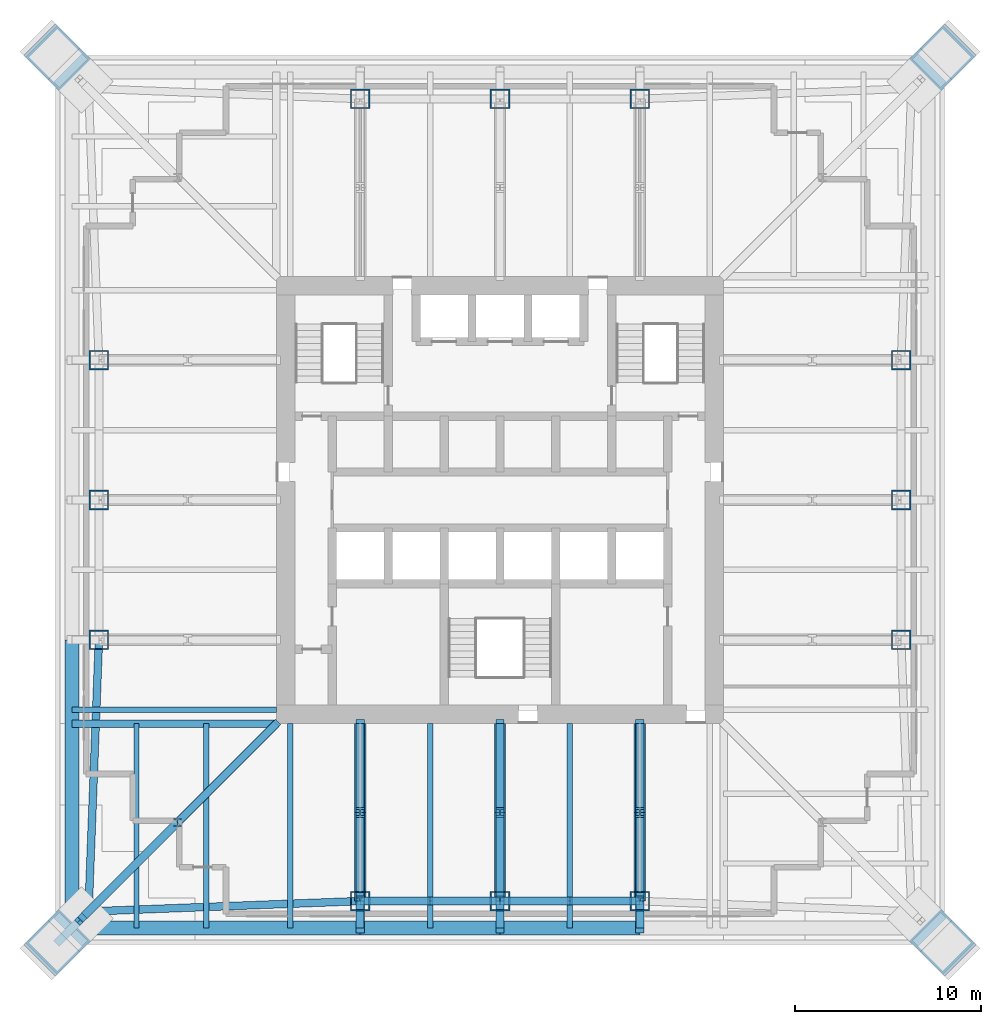
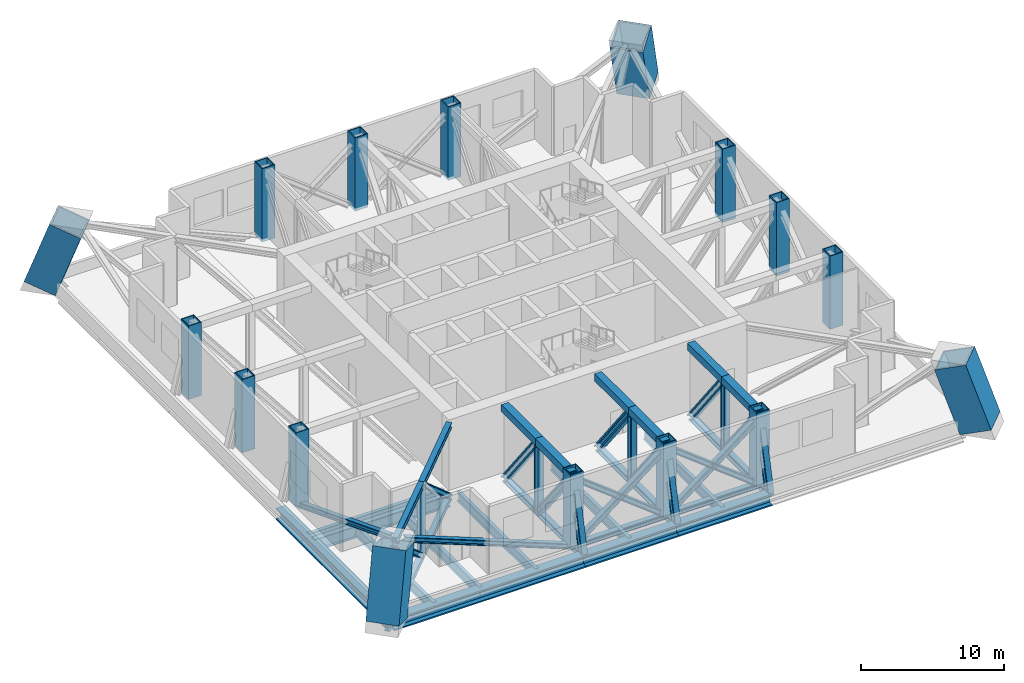
# One storey, part 1 of 8: 46 members, 16 columns, 11 beams.
"""IFC4 building model written with IfcOpenShell, lengths in metres."""

from ifc_helpers import new_model, si_unit, direction, frame, origin, origin_2d, place, context, subcontext, project, spatial, hollow_rectangle, i_section, extrude, clip, halfspace, material, material_profile, profile_set, type_object, element, save


model = new_model("IFC4")

# Units and contexts
model_context = context("Model", 3, precision=1e-05, world=origin(), true_north=direction((0.0, 1.0)))
body_context = subcontext(model_context, "Body", "Model", "MODEL_VIEW")
ifc_project = project(units=[si_unit("LENGTHUNIT", "METRE"), si_unit("AREAUNIT", "SQUARE_METRE"), si_unit("VOLUMEUNIT", "CUBIC_METRE"), si_unit("PLANEANGLEUNIT", "RADIAN"), si_unit("MASSUNIT", "GRAM", prefix="KILO")], contexts=[model_context])

# Site, building, storey
site_placement = place(None, origin())
site = spatial("IfcSite", under=ifc_project, at=site_placement, CompositionType="ELEMENT")
building_placement = place(site_placement, origin())
building = spatial("IfcBuilding", under=site, at=building_placement, Name="Tarangal Relay Tower", CompositionType="ELEMENT")
storey_placement = place(building_placement, frame((0.0, 0.0, 171.89990234375)))
storey = spatial("IfcBuildingStorey", under=building, at=storey_placement, Name="L35", CompositionType="ELEMENT", Elevation=171.89990234375)

# Columns
ifc_material_1 = material(Name="Steel ASTM A572 Grade 42", Category="steel")
ifc_material_profile_1 = material_profile(ifc_material_1, hollow_rectangle(XDim=2.39990234375, YDim=2.39990234375, WallThickness=0.1201171875, at=origin_2d()), Name="BOX2400X2400X120")
ifc_profile_set_1 = profile_set([ifc_material_profile_1], Name="Steel ASTM A572 Grade 42")
column_type_1 = type_object("IfcColumnType", Name="Mega column BOX2400X2400X120", PredefinedType="COLUMN", material=ifc_profile_set_1)
for number, where, z_axis, x_axis, name in (
    (1, (24.0, 24.0, 0.0), (-0.235702260396, -0.235702260396, 0.942809041582), (0.707106781187, -0.707106781187, 0.0), "Mega column MC3 NE L35"),
    (2, (24.0, -24.0, 0.0), (-0.235702260396, 0.235702260396, 0.942809041582), (-0.707106781187, -0.707106781187, 0.0), "Mega column MC3 SE L35"),
    (3, (-24.0, -24.0, 0.0), (0.235702260396, 0.235702260396, 0.942809041582), (-0.707106781187, 0.707106781187, 0.0), "Mega column MC3 SW L35"),
    (4, (-24.0, 24.0, 0.0), (0.235702260396, -0.235702260396, 0.942809041582), (0.707106781187, 0.707106781187, 0.0), "Mega column MC3 NW L35"),
):
    element("IfcColumn", number, at=place(storey_placement, frame(where, z_axis=z_axis, x_axis=x_axis)), inside=storey, type_object=column_type_1, Name=name, PredefinedType="COLUMN", context=body_context, shape_type="Clipping", body=[
        clip(clip(extrude(hollow_rectangle(XDim=2.39990234375, YDim=2.39990234375, WallThickness=0.1201171875, at=origin_2d()), origin(), (0.0, 0.0, 1.0), 6.364013671875), halfspace(frame((0.0, 0.0, 0.4248046875)), True)), halfspace(frame((0.0, 0.0, 5.939208984375)), False)),
    ])
ifc_material_2 = material(Name="Steel ASTM A572 Grade 50", Category="steel")
ifc_material_profile_2 = material_profile(ifc_material_2, hollow_rectangle(XDim=1.050048828125, YDim=1.050048828125, WallThickness=0.070068359375, at=origin_2d()), Name="BOX1050X1050X70")
ifc_profile_set_2 = profile_set([ifc_material_profile_2], Name="Steel ASTM A572 Grade 50")
column_type_2 = type_object("IfcColumnType", Name="Perimeter column BOX1050X1050X70", PredefinedType="COLUMN", material=ifc_profile_set_2)
for number, where, z_axis, x_axis, name in (
    (5, (-7.5, 21.514892578125, -0.25), (0.0, 0.0, 1.0), (1.0, 0.0, 0.0), "Perimeter column PC4 N L35"),
    (6, (0.0, 21.514892578125, -0.25), (0.0, 0.0, 1.0), (1.0, 0.0, 0.0), "Perimeter column PC4 N L35"),
    (7, (7.5, 21.514892578125, -0.25), (0.0, 0.0, 1.0), (1.0, 0.0, 0.0), "Perimeter column PC4 N L35"),
    (8, (21.514892578125, 7.5, -0.25), (0.0, 0.0, 1.0), (1.0, 0.0, 0.0), "Perimeter column PC4 E L35"),
    (9, (21.514892578125, 0.0, -0.25), (0.0, 0.0, 1.0), (1.0, 0.0, 0.0), "Perimeter column PC4 E L35"),
    (10, (21.514892578125, -7.5, -0.25), (0.0, 0.0, 1.0), (1.0, 0.0, 0.0), "Perimeter column PC4 E L35"),
    (11, (7.5, -21.514892578125, -0.25), (0.0, 0.0, 1.0), (1.0, 0.0, 0.0), "Perimeter column PC4 S L35"),
    (12, (0.0, -21.514892578125, -0.25), (0.0, 0.0, 1.0), (1.0, 0.0, 0.0), "Perimeter column PC4 S L35"),
    (13, (-7.5, -21.514892578125, -0.25), (0.0, 0.0, 1.0), (1.0, 0.0, 0.0), "Perimeter column PC4 S L35"),
    (14, (-21.514892578125, -7.5, -0.25), (0.0, 0.0, 1.0), (1.0, 0.0, 0.0), "Perimeter column PC4 W L35"),
    (15, (-21.514892578125, 0.0, -0.25), (0.0, 0.0, 1.0), (1.0, 0.0, 0.0), "Perimeter column PC4 W L35"),
    (16, (-21.514892578125, 7.5, -0.25), (0.0, 0.0, 1.0), (1.0, 0.0, 0.0), "Perimeter column PC4 W L35"),
):
    element("IfcColumn", number, at=place(storey_placement, frame(where, z_axis=z_axis, x_axis=x_axis)), inside=storey, type_object=column_type_2, Name=name, PredefinedType="COLUMN", context=body_context, shape_type="SweptSolid", body=[
        extrude(hollow_rectangle(XDim=1.050048828125, YDim=1.050048828125, WallThickness=0.070068359375, at=origin_2d()), origin(), (0.0, 0.0, 1.0), 6.25),
    ])

# Members
ifc_material_3 = material(Name="Steel ASTM A992", Category="steel")
ifc_material_profile_3 = material_profile(ifc_material_3, i_section(OverallWidth=0.41162109375, OverallDepth=0.434326171875, WebThickness=0.035888671875, FlangeThickness=0.057373046875, at=origin_2d()), Name="W14X311")
ifc_profile_set_3 = profile_set([ifc_material_profile_3], Name="Steel ASTM A992")
member_type_1 = type_object("IfcMemberType", Name="Belt truss brace W14X311", PredefinedType="BRACE", material=ifc_profile_set_3)
for number, where, z_axis, x_axis, name in (
    (17, (7.5, -21.514892578125, -0.4912109375), (-0.790714061524, 0.0, 0.612185652321), (0.0, -1.0, 0.0), "Belt truss S L35 brace"),
    (18, (3.75, -21.514892578125, 2.412109375), (-0.790714061524, 0.0, 0.612185652321), (0.0, -1.0, 0.0), "Belt truss S L35 brace"),
    (19, (0.0, -21.514892578125, -0.4912109375), (0.790714061524, 0.0, 0.612185652321), (0.0, 1.0, 0.0), "Belt truss S L35 brace"),
    (20, (3.75, -21.514892578125, 2.412109375), (0.790714061524, 0.0, 0.612185652321), (0.0, 1.0, 0.0), "Belt truss S L35 brace"),
    (21, (0.0, -21.514892578125, -0.4912109375), (-0.790714061524, 0.0, 0.612185652321), (0.0, -1.0, 0.0), "Belt truss S L35 brace"),
    (22, (-3.75, -21.514892578125, 2.412109375), (-0.790714061524, 0.0, 0.612185652321), (0.0, -1.0, 0.0), "Belt truss S L35 brace"),
    (23, (-7.5, -21.514892578125, -0.4912109375), (0.790714061524, 0.0, 0.612185652321), (0.0, 1.0, 0.0), "Belt truss S L35 brace"),
    (24, (-3.75, -21.514892578125, 2.412109375), (0.790714061524, 0.0, 0.612185652321), (0.0, 1.0, 0.0), "Belt truss S L35 brace"),
):
    element("IfcMember", number, at=place(storey_placement, frame(where, z_axis=z_axis, x_axis=x_axis)), inside=storey, type_object=member_type_1, Name=name, PredefinedType="BRACE", context=body_context, shape_type="SweptSolid", body=[
        extrude(i_section(OverallWidth=0.41162109375, OverallDepth=0.434326171875, WebThickness=0.035888671875, FlangeThickness=0.057373046875, at=origin_2d()), origin(), (0.0, 0.0, 1.0), 4.742431640625),
    ])
for number, where, z_axis, x_axis, name in (
    (25, (-7.5, -21.514892578125, -0.4912109375), (-0.922635583131, -0.03539469011, 0.384045305469), (0.038334391708, -0.999264967069, 0.0), "Belt truss S L35 end brace"),
    (26, (-21.514892578125, -7.5, -0.4912109375), (-0.03539469011, -0.922635583131, 0.384045305469), (0.999264967069, -0.038334391708, 0.0), "Belt truss W L35 end brace"),
):
    element("IfcMember", number, at=place(storey_placement, frame(where, z_axis=z_axis, x_axis=x_axis)), inside=storey, type_object=member_type_1, Name=name, PredefinedType="BRACE", context=body_context, shape_type="SweptSolid", body=[
        extrude(i_section(OverallWidth=0.41162109375, OverallDepth=0.434326171875, WebThickness=0.035888671875, FlangeThickness=0.057373046875, at=origin_2d()), origin(), (0.0, 0.0, 1.0), 15.11962890625),
    ])
ifc_material_profile_4 = material_profile(ifc_material_3, i_section(OverallWidth=0.41650390625, OverallDepth=0.444580078125, WebThickness=0.0390625, FlangeThickness=0.062744140625, at=origin_2d()), Name="W14X342")
ifc_profile_set_4 = profile_set([ifc_material_profile_4], Name="Steel ASTM A992")
member_type_2 = type_object("IfcMemberType", Name="Belt truss chord W14X342", PredefinedType="CHORD", material=ifc_profile_set_4)
for number, where, z_axis, x_axis, name in (
    (27, (7.5, -21.514892578125, -0.4912109375), (-1.0, 0.0, 0.0), (0.0, -1.0, 0.0), "Belt truss S L35 bottom chord"),
    (28, (0.0, -21.514892578125, -0.4912109375), (-1.0, 0.0, 0.0), (0.0, -1.0, 0.0), "Belt truss S L35 bottom chord"),
):
    element("IfcMember", number, at=place(storey_placement, frame(where, z_axis=z_axis, x_axis=x_axis)), inside=storey, type_object=member_type_2, Name=name, PredefinedType="CHORD", context=body_context, shape_type="SweptSolid", body=[
        extrude(i_section(OverallWidth=0.41650390625, OverallDepth=0.444580078125, WebThickness=0.0390625, FlangeThickness=0.062744140625, at=origin_2d()), origin(), (0.0, 0.0, 1.0), 7.5),
    ])

# Beams
ifc_material_profile_5 = material_profile(ifc_material_3, i_section(OverallWidth=0.2919921875, OverallDepth=0.8408203125, WebThickness=0.0146484375, FlangeThickness=0.021728515625, at=origin_2d()), Name="W33X130")
ifc_profile_set_5 = profile_set([ifc_material_profile_5], Name="Steel ASTM A992")
beam_type_1 = type_object("IfcBeamType", Name="Corner beam W33X130", PredefinedType="JOIST", material=ifc_profile_set_5)
for number, where, z_axis, x_axis, name in (
    (29, (-15.75, -12.0, -0.67041015625), (0.0, -1.0, 0.0), (1.0, 0.0, 0.0), "Corner beam CB2 S L35"),
    (30, (-19.5, -12.0, -0.67041015625), (0.0, -1.0, 0.0), (1.0, 0.0, 0.0), "Corner beam CB2 S L35"),
):
    element("IfcBeam", number, at=place(storey_placement, frame(where, z_axis=z_axis, x_axis=x_axis)), inside=storey, type_object=beam_type_1, Name=name, PredefinedType="JOIST", context=body_context, shape_type="SweptSolid", body=[
        extrude(i_section(OverallWidth=0.2919921875, OverallDepth=0.8408203125, WebThickness=0.0146484375, FlangeThickness=0.021728515625, at=origin_2d()), origin(), (0.0, 0.0, 1.0), 10.965087890625),
    ])
ifc_material_profile_6 = material_profile(ifc_material_3, i_section(OverallWidth=0.4013671875, OverallDepth=1.01611328125, WebThickness=0.02099609375, FlangeThickness=0.0400390625, at=origin_2d()), Name="W40X277")
ifc_profile_set_6 = profile_set([ifc_material_profile_6], Name="Steel ASTM A992")
beam_type_2 = type_object("IfcBeamType", Name="Corner girder W40X277", PredefinedType="BEAM", material=ifc_profile_set_6)
beam_placement = place(storey_placement, frame((-12.0, -12.0, -0.7578125), z_axis=(-1.0, 0.0, 0.0), x_axis=(0.0, -1.0, 0.0)))
element("IfcBeam", 31, at=beam_placement, inside=storey, type_object=beam_type_2, Name="Corner girder CG3 S L35", PredefinedType="BEAM", context=body_context, shape_type="SweptSolid", body=[
    extrude(i_section(OverallWidth=0.4013671875, OverallDepth=1.01611328125, WebThickness=0.02099609375, FlangeThickness=0.0400390625, at=origin_2d()), origin(), (0.0, 0.0, 1.0), 10.965087890625),
])
ifc_material_profile_7 = material_profile(ifc_material_1, i_section(OverallWidth=0.75, OverallDepth=1.0, WebThickness=0.030029296875, FlangeThickness=0.110107421875, at=origin_2d()), Name="PG1000X750X110X30")
ifc_profile_set_7 = profile_set([ifc_material_profile_7], Name="Steel ASTM A572 Grade 42")
beam_type_3 = type_object("IfcBeamType", Name="Edge girder PG1000X750X110X30", PredefinedType="SPANDREL", material=ifc_profile_set_7)
for number, where, z_axis, x_axis, name in (
    (32, (7.5, -22.965087890625, -0.75), (-1.0, 0.0, 0.0), (0.0, -1.0, 0.0), "Edge girder EG12 S L35"),
    (33, (0.0, -22.965087890625, -0.75), (-1.0, 0.0, 0.0), (0.0, -1.0, 0.0), "Edge girder EG12 S L35"),
):
    element("IfcBeam", number, at=place(storey_placement, frame(where, z_axis=z_axis, x_axis=x_axis)), inside=storey, type_object=beam_type_3, Name=name, PredefinedType="SPANDREL", context=body_context, shape_type="SweptSolid", body=[
        extrude(i_section(OverallWidth=0.75, OverallDepth=1.0, WebThickness=0.030029296875, FlangeThickness=0.110107421875, at=origin_2d()), origin(), (0.0, 0.0, 1.0), 7.5),
    ])
for number, where, z_axis, x_axis, name in (
    (34, (-7.5, -22.965087890625, -0.75), (-1.0, 0.0, 0.0), (0.0, -1.0, 0.0), "Edge girder EG12 S L35"),
    (35, (-22.965087890625, -22.949951171875, -0.75), (0.0, 1.0, 0.0), (-1.0, 0.0, 0.0), "Edge girder EG12 W L35"),
):
    element("IfcBeam", number, at=place(storey_placement, frame(where, z_axis=z_axis, x_axis=x_axis)), inside=storey, type_object=beam_type_3, Name=name, PredefinedType="SPANDREL", context=body_context, shape_type="SweptSolid", body=[
        extrude(i_section(OverallWidth=0.75, OverallDepth=1.0, WebThickness=0.030029296875, FlangeThickness=0.110107421875, at=origin_2d()), origin(), (0.0, 0.0, 1.0), 15.449951171875),
    ])
ifc_material_profile_8 = material_profile(ifc_material_3, i_section(OverallWidth=0.2919921875, OverallDepth=0.8408203125, WebThickness=0.0146484375, FlangeThickness=0.021728515625, at=origin_2d()), Name="W33X130")
ifc_profile_set_8 = profile_set([ifc_material_profile_8], Name="Steel ASTM A992")
beam_type_4 = type_object("IfcBeamType", Name="Floor beam W33X130", PredefinedType="BEAM", material=ifc_profile_set_8)
for number, where, z_axis, x_axis, name in (
    (36, (3.75, -12.0, -0.67041015625), (0.0, -1.0, 0.0), (1.0, 0.0, 0.0), "Floor beam RB2 S L35"),
    (37, (-3.75, -12.0, -0.67041015625), (0.0, -1.0, 0.0), (1.0, 0.0, 0.0), "Floor beam RB2 S L35"),
    (38, (-11.25, -12.0, -0.67041015625), (0.0, -1.0, 0.0), (1.0, 0.0, 0.0), "Floor beam RB2 S L35"),
    (39, (-12.0, -11.25, -0.67041015625), (-1.0, 0.0, 0.0), (0.0, -1.0, 0.0), "Floor beam RB2 W L35"),
):
    element("IfcBeam", number, at=place(storey_placement, frame(where, z_axis=z_axis, x_axis=x_axis)), inside=storey, type_object=beam_type_4, Name=name, PredefinedType="BEAM", context=body_context, shape_type="SweptSolid", body=[
        extrude(i_section(OverallWidth=0.2919921875, OverallDepth=0.8408203125, WebThickness=0.0146484375, FlangeThickness=0.021728515625, at=origin_2d()), origin(), (0.0, 0.0, 1.0), 10.965087890625),
    ])

# Members
ifc_material_profile_9 = material_profile(ifc_material_3, i_section(OverallWidth=0.421630859375, OverallDepth=0.46484375, WebThickness=0.044921875, FlangeThickness=0.072509765625, at=origin_2d()), Name="W14X398")
ifc_profile_set_9 = profile_set([ifc_material_profile_9], Name="Steel ASTM A992")
member_type_3 = type_object("IfcMemberType", Name="Outrigger chord W14X398", PredefinedType="CHORD", material=ifc_profile_set_9)
member_1_placement = place(storey_placement, frame((-12.0, -12.0, -0.482421875), z_axis=(-0.707106781187, -0.707106781187, 0.0), x_axis=(0.707106781187, -0.707106781187, 0.0)))
element("IfcMember", 40, at=member_1_placement, inside=storey, type_object=member_type_3, Name="Outrigger SW L35 bottom chord", PredefinedType="CHORD", context=body_context, shape_type="SweptSolid", body=[
    extrude(i_section(OverallWidth=0.421630859375, OverallDepth=0.46484375, WebThickness=0.044921875, FlangeThickness=0.072509765625, at=origin_2d()), origin(), (0.0, 0.0, 1.0), 7.4921875),
])
member_2_placement = place(storey_placement, frame((-17.2978515625, -17.2978515625, -0.482421875), z_axis=(-0.707106781187, -0.707106781187, 0.0), x_axis=(0.707106781187, -0.707106781187, 0.0)))
element("IfcMember", 41, at=member_2_placement, inside=storey, type_object=member_type_3, Name="Outrigger SW L35 bottom chord", PredefinedType="CHORD", context=body_context, shape_type="Clipping", body=[
    clip(extrude(i_section(OverallWidth=0.421630859375, OverallDepth=0.46484375, WebThickness=0.044921875, FlangeThickness=0.072509765625, at=origin_2d()), origin(), (0.0, 0.0, 1.0), 9.478271484375), halfspace(frame((0.0, 0.0, 9.1826171875)), False)),
])
member_3_placement = place(storey_placement, frame((-12.0, -12.0, 5.61767578125), z_axis=(-0.707106781187, -0.707106781187, 0.0), x_axis=(0.707106781187, -0.707106781187, 0.0)))
element("IfcMember", 42, at=member_3_placement, inside=storey, type_object=member_type_3, Name="Outrigger SW L35 top chord", PredefinedType="CHORD", context=body_context, shape_type="SweptSolid", body=[
    extrude(i_section(OverallWidth=0.421630859375, OverallDepth=0.46484375, WebThickness=0.044921875, FlangeThickness=0.072509765625, at=origin_2d()), origin(), (0.0, 0.0, 1.0), 7.4921875),
])
member_4_placement = place(storey_placement, frame((-17.2978515625, -17.2978515625, 5.61767578125), z_axis=(-0.707106781187, -0.707106781187, 0.0), x_axis=(0.707106781187, -0.707106781187, 0.0)))
element("IfcMember", 43, at=member_4_placement, inside=storey, type_object=member_type_3, Name="Outrigger SW L35 top chord", PredefinedType="CHORD", context=body_context, shape_type="Clipping", body=[
    clip(extrude(i_section(OverallWidth=0.421630859375, OverallDepth=0.46484375, WebThickness=0.044921875, FlangeThickness=0.072509765625, at=origin_2d()), origin(), (0.0, 0.0, 1.0), 7.4921875), halfspace(frame((0.0, 0.0, 7.061279296875)), False)),
])
ifc_material_profile_10 = material_profile(ifc_material_3, i_section(OverallWidth=0.408935546875, OverallDepth=0.42431640625, WebThickness=0.03271484375, FlangeThickness=0.052490234375, at=origin_2d()), Name="W14X283")
ifc_profile_set_10 = profile_set([ifc_material_profile_10], Name="Steel ASTM A992")
member_type_4 = type_object("IfcMemberType", Name="Outrigger web W14X283", PredefinedType="STRUT", material=ifc_profile_set_10)
member_5_placement = place(storey_placement, frame((-17.2978515625, -17.2978515625, -0.482421875), z_axis=(0.0, 0.0, 1.0), x_axis=(1.0, 0.0, 0.0)))
element("IfcMember", 44, at=member_5_placement, inside=storey, type_object=member_type_4, Name="Outrigger SW L35 vertical", PredefinedType="STRUT", context=body_context, shape_type="SweptSolid", body=[
    extrude(i_section(OverallWidth=0.408935546875, OverallDepth=0.42431640625, WebThickness=0.03271484375, FlangeThickness=0.052490234375, at=origin_2d()), origin(), (0.0, 0.0, 1.0), 6.10009765625),
])
for number, where, z_axis, x_axis, name in (
    (45, (-12.0, -12.0, -0.482421875), (-0.548343544499, -0.548343544499, 0.631378424095), (0.707106781187, -0.707106781187, 0.0), "Outrigger SW L35 diagonal"),
    (46, (-17.2978515625, -17.2978515625, -0.482421875), (-0.548343544499, -0.548343544499, 0.631378424095), (0.707106781187, -0.707106781187, 0.0), "Outrigger SW L35 diagonal"),
):
    element("IfcMember", number, at=place(storey_placement, frame(where, z_axis=z_axis, x_axis=x_axis)), inside=storey, type_object=member_type_4, Name=name, PredefinedType="STRUT", context=body_context, shape_type="SweptSolid", body=[
        extrude(i_section(OverallWidth=0.408935546875, OverallDepth=0.42431640625, WebThickness=0.03271484375, FlangeThickness=0.052490234375, at=origin_2d()), origin(), (0.0, 0.0, 1.0), 9.66162109375),
    ])
ifc_material_profile_11 = material_profile(ifc_material_3, i_section(OverallWidth=0.4267578125, OverallDepth=0.482666015625, WebThickness=0.05126953125, FlangeThickness=0.08154296875, at=origin_2d()), Name="W14X455")
ifc_profile_set_11 = profile_set([ifc_material_profile_11], Name="Steel ASTM A992")
member_type_5 = type_object("IfcMemberType", Name="Transfer truss chord W14X455", PredefinedType="CHORD", material=ifc_profile_set_11)
member_6_placement = place(storey_placement, frame((7.5, -12.0, -0.4912109375), z_axis=(0.0, -1.0, 0.0), x_axis=(1.0, 0.0, 0.0)))
element("IfcMember", 47, at=member_6_placement, inside=storey, type_object=member_type_5, Name="Transfer truss S -7.5 L35 bottom chord", PredefinedType="CHORD", context=body_context, shape_type="SweptSolid", body=[
    extrude(i_section(OverallWidth=0.4267578125, OverallDepth=0.482666015625, WebThickness=0.05126953125, FlangeThickness=0.08154296875, at=origin_2d()), origin(), (0.0, 0.0, 1.0), 4.757568359375),
])
member_7_placement = place(storey_placement, frame((7.5, -16.757568359375, -0.4912109375), z_axis=(0.0, -1.0, 0.0), x_axis=(1.0, 0.0, 0.0)))
element("IfcMember", 48, at=member_7_placement, inside=storey, type_object=member_type_5, Name="Transfer truss S -7.5 L35 bottom chord", PredefinedType="CHORD", context=body_context, shape_type="SweptSolid", body=[
    extrude(i_section(OverallWidth=0.4267578125, OverallDepth=0.482666015625, WebThickness=0.05126953125, FlangeThickness=0.08154296875, at=origin_2d()), origin(), (0.0, 0.0, 1.0), 4.75732421875),
])
member_8_placement = place(storey_placement, frame((7.5, -21.514892578125, -0.4912109375), z_axis=(0.0, -1.0, 0.0), x_axis=(1.0, 0.0, 0.0)))
element("IfcMember", 49, at=member_8_placement, inside=storey, type_object=member_type_5, Name="Transfer truss S -7.5 L35 bottom chord", PredefinedType="CHORD", context=body_context, shape_type="SweptSolid", body=[
    extrude(i_section(OverallWidth=0.4267578125, OverallDepth=0.482666015625, WebThickness=0.05126953125, FlangeThickness=0.08154296875, at=origin_2d()), origin(), (0.0, 0.0, 1.0), 1.4501953125),
])
member_9_placement = place(storey_placement, frame((0.0, -12.0, -0.4912109375), z_axis=(0.0, -1.0, 0.0), x_axis=(1.0, 0.0, 0.0)))
element("IfcMember", 50, at=member_9_placement, inside=storey, type_object=member_type_5, Name="Transfer truss S +0.0 L35 bottom chord", PredefinedType="CHORD", context=body_context, shape_type="SweptSolid", body=[
    extrude(i_section(OverallWidth=0.4267578125, OverallDepth=0.482666015625, WebThickness=0.05126953125, FlangeThickness=0.08154296875, at=origin_2d()), origin(), (0.0, 0.0, 1.0), 4.757568359375),
])
member_10_placement = place(storey_placement, frame((0.0, -16.757568359375, -0.4912109375), z_axis=(0.0, -1.0, 0.0), x_axis=(1.0, 0.0, 0.0)))
element("IfcMember", 51, at=member_10_placement, inside=storey, type_object=member_type_5, Name="Transfer truss S +0.0 L35 bottom chord", PredefinedType="CHORD", context=body_context, shape_type="SweptSolid", body=[
    extrude(i_section(OverallWidth=0.4267578125, OverallDepth=0.482666015625, WebThickness=0.05126953125, FlangeThickness=0.08154296875, at=origin_2d()), origin(), (0.0, 0.0, 1.0), 4.75732421875),
])
member_11_placement = place(storey_placement, frame((0.0, -21.514892578125, -0.4912109375), z_axis=(0.0, -1.0, 0.0), x_axis=(1.0, 0.0, 0.0)))
element("IfcMember", 52, at=member_11_placement, inside=storey, type_object=member_type_5, Name="Transfer truss S +0.0 L35 bottom chord", PredefinedType="CHORD", context=body_context, shape_type="SweptSolid", body=[
    extrude(i_section(OverallWidth=0.4267578125, OverallDepth=0.482666015625, WebThickness=0.05126953125, FlangeThickness=0.08154296875, at=origin_2d()), origin(), (0.0, 0.0, 1.0), 1.4501953125),
])
member_12_placement = place(storey_placement, frame((-7.5, -12.0, -0.4912109375), z_axis=(0.0, -1.0, 0.0), x_axis=(1.0, 0.0, 0.0)))
element("IfcMember", 53, at=member_12_placement, inside=storey, type_object=member_type_5, Name="Transfer truss S +7.5 L35 bottom chord", PredefinedType="CHORD", context=body_context, shape_type="SweptSolid", body=[
    extrude(i_section(OverallWidth=0.4267578125, OverallDepth=0.482666015625, WebThickness=0.05126953125, FlangeThickness=0.08154296875, at=origin_2d()), origin(), (0.0, 0.0, 1.0), 4.757568359375),
])
member_13_placement = place(storey_placement, frame((-7.5, -16.757568359375, -0.4912109375), z_axis=(0.0, -1.0, 0.0), x_axis=(1.0, 0.0, 0.0)))
element("IfcMember", 54, at=member_13_placement, inside=storey, type_object=member_type_5, Name="Transfer truss S +7.5 L35 bottom chord", PredefinedType="CHORD", context=body_context, shape_type="SweptSolid", body=[
    extrude(i_section(OverallWidth=0.4267578125, OverallDepth=0.482666015625, WebThickness=0.05126953125, FlangeThickness=0.08154296875, at=origin_2d()), origin(), (0.0, 0.0, 1.0), 4.75732421875),
])
member_14_placement = place(storey_placement, frame((-7.5, -21.514892578125, -0.4912109375), z_axis=(0.0, -1.0, 0.0), x_axis=(1.0, 0.0, 0.0)))
element("IfcMember", 55, at=member_14_placement, inside=storey, type_object=member_type_5, Name="Transfer truss S +7.5 L35 bottom chord", PredefinedType="CHORD", context=body_context, shape_type="SweptSolid", body=[
    extrude(i_section(OverallWidth=0.4267578125, OverallDepth=0.482666015625, WebThickness=0.05126953125, FlangeThickness=0.08154296875, at=origin_2d()), origin(), (0.0, 0.0, 1.0), 1.4501953125),
])
ifc_material_profile_12 = material_profile(ifc_material_2, hollow_rectangle(XDim=0.60009765625, YDim=0.60009765625, WallThickness=0.070068359375, at=origin_2d()), Name="BOX600X600X70")
ifc_profile_set_12 = profile_set([ifc_material_profile_12], Name="Steel ASTM A572 Grade 50")
member_type_6 = type_object("IfcMemberType", Name="Transfer truss top chord BOX600X600X70", PredefinedType="CHORD", material=ifc_profile_set_12)
member_15_placement = place(storey_placement, frame((7.5, -12.0, 5.550048828125), z_axis=(0.0, -1.0, 0.0), x_axis=(1.0, 0.0, 0.0)))
element("IfcMember", 56, at=member_15_placement, inside=storey, type_object=member_type_6, Name="Transfer truss S -7.5 L35 top chord", PredefinedType="CHORD", context=body_context, shape_type="SweptSolid", body=[
    extrude(hollow_rectangle(XDim=0.60009765625, YDim=0.60009765625, WallThickness=0.070068359375, at=origin_2d()), origin(), (0.0, 0.0, 1.0), 4.757568359375),
])
member_16_placement = place(storey_placement, frame((7.5, -16.757568359375, 5.550048828125), z_axis=(0.0, -1.0, 0.0), x_axis=(1.0, 0.0, 0.0)))
element("IfcMember", 57, at=member_16_placement, inside=storey, type_object=member_type_6, Name="Transfer truss S -7.5 L35 top chord", PredefinedType="CHORD", context=body_context, shape_type="SweptSolid", body=[
    extrude(hollow_rectangle(XDim=0.60009765625, YDim=0.60009765625, WallThickness=0.070068359375, at=origin_2d()), origin(), (0.0, 0.0, 1.0), 4.75732421875),
])
member_17_placement = place(storey_placement, frame((0.0, -12.0, 5.550048828125), z_axis=(0.0, -1.0, 0.0), x_axis=(1.0, 0.0, 0.0)))
element("IfcMember", 58, at=member_17_placement, inside=storey, type_object=member_type_6, Name="Transfer truss S +0.0 L35 top chord", PredefinedType="CHORD", context=body_context, shape_type="SweptSolid", body=[
    extrude(hollow_rectangle(XDim=0.60009765625, YDim=0.60009765625, WallThickness=0.070068359375, at=origin_2d()), origin(), (0.0, 0.0, 1.0), 4.757568359375),
])
member_18_placement = place(storey_placement, frame((0.0, -16.757568359375, 5.550048828125), z_axis=(0.0, -1.0, 0.0), x_axis=(1.0, 0.0, 0.0)))
element("IfcMember", 59, at=member_18_placement, inside=storey, type_object=member_type_6, Name="Transfer truss S +0.0 L35 top chord", PredefinedType="CHORD", context=body_context, shape_type="SweptSolid", body=[
    extrude(hollow_rectangle(XDim=0.60009765625, YDim=0.60009765625, WallThickness=0.070068359375, at=origin_2d()), origin(), (0.0, 0.0, 1.0), 4.75732421875),
])
member_19_placement = place(storey_placement, frame((-7.5, -12.0, 5.550048828125), z_axis=(0.0, -1.0, 0.0), x_axis=(1.0, 0.0, 0.0)))
element("IfcMember", 60, at=member_19_placement, inside=storey, type_object=member_type_6, Name="Transfer truss S +7.5 L35 top chord", PredefinedType="CHORD", context=body_context, shape_type="SweptSolid", body=[
    extrude(hollow_rectangle(XDim=0.60009765625, YDim=0.60009765625, WallThickness=0.070068359375, at=origin_2d()), origin(), (0.0, 0.0, 1.0), 4.757568359375),
])
member_20_placement = place(storey_placement, frame((-7.5, -16.757568359375, 5.550048828125), z_axis=(0.0, -1.0, 0.0), x_axis=(1.0, 0.0, 0.0)))
element("IfcMember", 61, at=member_20_placement, inside=storey, type_object=member_type_6, Name="Transfer truss S +7.5 L35 top chord", PredefinedType="CHORD", context=body_context, shape_type="SweptSolid", body=[
    extrude(hollow_rectangle(XDim=0.60009765625, YDim=0.60009765625, WallThickness=0.070068359375, at=origin_2d()), origin(), (0.0, 0.0, 1.0), 4.75732421875),
])
ifc_material_profile_13 = material_profile(ifc_material_3, i_section(OverallWidth=0.44970703125, OverallDepth=0.548583984375, WebThickness=0.072021484375, FlangeThickness=0.11474609375, at=origin_2d()), Name="W14X665")
ifc_profile_set_13 = profile_set([ifc_material_profile_13], Name="Steel ASTM A992")
member_type_7 = type_object("IfcMemberType", Name="Transfer truss web W14X665", PredefinedType="STRUT", material=ifc_profile_set_13)
member_21_placement = place(storey_placement, frame((7.5, -16.757568359375, -0.732421875), z_axis=(0.0, 0.0, 1.0), x_axis=(1.0, 0.0, 0.0)))
element("IfcMember", 62, at=member_21_placement, inside=storey, type_object=member_type_7, Name="Transfer truss S -7.5 L35 vertical", PredefinedType="STRUT", context=body_context, shape_type="SweptSolid", body=[
    extrude(i_section(OverallWidth=0.44970703125, OverallDepth=0.548583984375, WebThickness=0.072021484375, FlangeThickness=0.11474609375, at=origin_2d()), origin(), (0.0, 0.0, 1.0), 6.282470703125),
])
member_22_placement = place(storey_placement, frame((7.5, -12.0, -0.589599609375), z_axis=(0.0, -0.612518642987, 0.790456141727), x_axis=(1.0, 0.0, 0.0)))
element("IfcMember", 63, at=member_22_placement, inside=storey, type_object=member_type_7, Name="Transfer truss S -7.5 L35 diagonal", PredefinedType="STRUT", context=body_context, shape_type="SweptSolid", body=[
    extrude(i_section(OverallWidth=0.44970703125, OverallDepth=0.548583984375, WebThickness=0.072021484375, FlangeThickness=0.11474609375, at=origin_2d()), origin(), (0.0, 0.0, 1.0), 7.767333984375),
])
member_23_placement = place(storey_placement, frame((7.5, -16.757568359375, -0.4912109375), z_axis=(0.0, -0.618675124983, 0.785646924341), x_axis=(1.0, 0.0, 0.0)))
element("IfcMember", 64, at=member_23_placement, inside=storey, type_object=member_type_7, Name="Transfer truss S -7.5 L35 diagonal", PredefinedType="STRUT", context=body_context, shape_type="SweptSolid", body=[
    extrude(i_section(OverallWidth=0.44970703125, OverallDepth=0.548583984375, WebThickness=0.072021484375, FlangeThickness=0.11474609375, at=origin_2d()), origin(), (0.0, 0.0, 1.0), 7.689453125),
])
member_24_placement = place(storey_placement, frame((7.5, -22.965087890625, -0.4912109375), z_axis=(0.0, 0.233417539086, 0.972376600113), x_axis=(-1.0, 0.0, 0.0)))
element("IfcMember", 65, at=member_24_placement, inside=storey, type_object=member_type_7, Name="Transfer truss S -7.5 L35 end diagonal", PredefinedType="STRUT", context=body_context, shape_type="SweptSolid", body=[
    extrude(i_section(OverallWidth=0.44970703125, OverallDepth=0.548583984375, WebThickness=0.072021484375, FlangeThickness=0.11474609375, at=origin_2d()), origin(), (0.0, 0.0, 1.0), 6.212890625),
])
member_25_placement = place(storey_placement, frame((0.0, -16.757568359375, -0.732421875), z_axis=(0.0, 0.0, 1.0), x_axis=(1.0, 0.0, 0.0)))
element("IfcMember", 66, at=member_25_placement, inside=storey, type_object=member_type_7, Name="Transfer truss S +0.0 L35 vertical", PredefinedType="STRUT", context=body_context, shape_type="SweptSolid", body=[
    extrude(i_section(OverallWidth=0.44970703125, OverallDepth=0.548583984375, WebThickness=0.072021484375, FlangeThickness=0.11474609375, at=origin_2d()), origin(), (0.0, 0.0, 1.0), 6.282470703125),
])
member_26_placement = place(storey_placement, frame((0.0, -12.0, -0.589599609375), z_axis=(0.0, -0.612518642987, 0.790456141727), x_axis=(1.0, 0.0, 0.0)))
element("IfcMember", 67, at=member_26_placement, inside=storey, type_object=member_type_7, Name="Transfer truss S +0.0 L35 diagonal", PredefinedType="STRUT", context=body_context, shape_type="SweptSolid", body=[
    extrude(i_section(OverallWidth=0.44970703125, OverallDepth=0.548583984375, WebThickness=0.072021484375, FlangeThickness=0.11474609375, at=origin_2d()), origin(), (0.0, 0.0, 1.0), 7.767333984375),
])
member_27_placement = place(storey_placement, frame((0.0, -16.757568359375, -0.4912109375), z_axis=(0.0, -0.618675124983, 0.785646924341), x_axis=(1.0, 0.0, 0.0)))
element("IfcMember", 68, at=member_27_placement, inside=storey, type_object=member_type_7, Name="Transfer truss S +0.0 L35 diagonal", PredefinedType="STRUT", context=body_context, shape_type="SweptSolid", body=[
    extrude(i_section(OverallWidth=0.44970703125, OverallDepth=0.548583984375, WebThickness=0.072021484375, FlangeThickness=0.11474609375, at=origin_2d()), origin(), (0.0, 0.0, 1.0), 7.689453125),
])
member_28_placement = place(storey_placement, frame((0.0, -22.965087890625, -0.4912109375), z_axis=(0.0, 0.233417539086, 0.972376600113), x_axis=(-1.0, 0.0, 0.0)))
element("IfcMember", 69, at=member_28_placement, inside=storey, type_object=member_type_7, Name="Transfer truss S +0.0 L35 end diagonal", PredefinedType="STRUT", context=body_context, shape_type="SweptSolid", body=[
    extrude(i_section(OverallWidth=0.44970703125, OverallDepth=0.548583984375, WebThickness=0.072021484375, FlangeThickness=0.11474609375, at=origin_2d()), origin(), (0.0, 0.0, 1.0), 6.212890625),
])
member_29_placement = place(storey_placement, frame((-7.5, -16.757568359375, -0.732421875), z_axis=(0.0, 0.0, 1.0), x_axis=(1.0, 0.0, 0.0)))
element("IfcMember", 70, at=member_29_placement, inside=storey, type_object=member_type_7, Name="Transfer truss S +7.5 L35 vertical", PredefinedType="STRUT", context=body_context, shape_type="SweptSolid", body=[
    extrude(i_section(OverallWidth=0.44970703125, OverallDepth=0.548583984375, WebThickness=0.072021484375, FlangeThickness=0.11474609375, at=origin_2d()), origin(), (0.0, 0.0, 1.0), 6.282470703125),
])
member_30_placement = place(storey_placement, frame((-7.5, -12.0, -0.589599609375), z_axis=(0.0, -0.612518642987, 0.790456141727), x_axis=(1.0, 0.0, 0.0)))
element("IfcMember", 71, at=member_30_placement, inside=storey, type_object=member_type_7, Name="Transfer truss S +7.5 L35 diagonal", PredefinedType="STRUT", context=body_context, shape_type="SweptSolid", body=[
    extrude(i_section(OverallWidth=0.44970703125, OverallDepth=0.548583984375, WebThickness=0.072021484375, FlangeThickness=0.11474609375, at=origin_2d()), origin(), (0.0, 0.0, 1.0), 7.767333984375),
])
member_31_placement = place(storey_placement, frame((-7.5, -16.757568359375, -0.4912109375), z_axis=(0.0, -0.618675124983, 0.785646924341), x_axis=(1.0, 0.0, 0.0)))
element("IfcMember", 72, at=member_31_placement, inside=storey, type_object=member_type_7, Name="Transfer truss S +7.5 L35 diagonal", PredefinedType="STRUT", context=body_context, shape_type="SweptSolid", body=[
    extrude(i_section(OverallWidth=0.44970703125, OverallDepth=0.548583984375, WebThickness=0.072021484375, FlangeThickness=0.11474609375, at=origin_2d()), origin(), (0.0, 0.0, 1.0), 7.689453125),
])
member_32_placement = place(storey_placement, frame((-7.5, -22.965087890625, -0.4912109375), z_axis=(0.0, 0.233417539086, 0.972376600113), x_axis=(-1.0, 0.0, 0.0)))
element("IfcMember", 73, at=member_32_placement, inside=storey, type_object=member_type_7, Name="Transfer truss S +7.5 L35 end diagonal", PredefinedType="STRUT", context=body_context, shape_type="SweptSolid", body=[
    extrude(i_section(OverallWidth=0.44970703125, OverallDepth=0.548583984375, WebThickness=0.072021484375, FlangeThickness=0.11474609375, at=origin_2d()), origin(), (0.0, 0.0, 1.0), 6.212890625),
])

save(model, "model.ifc")
